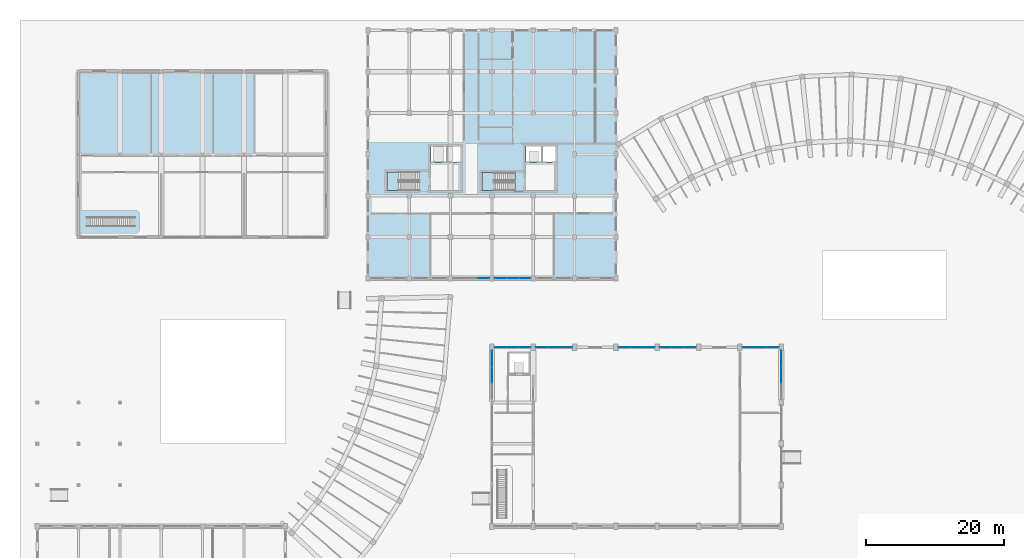
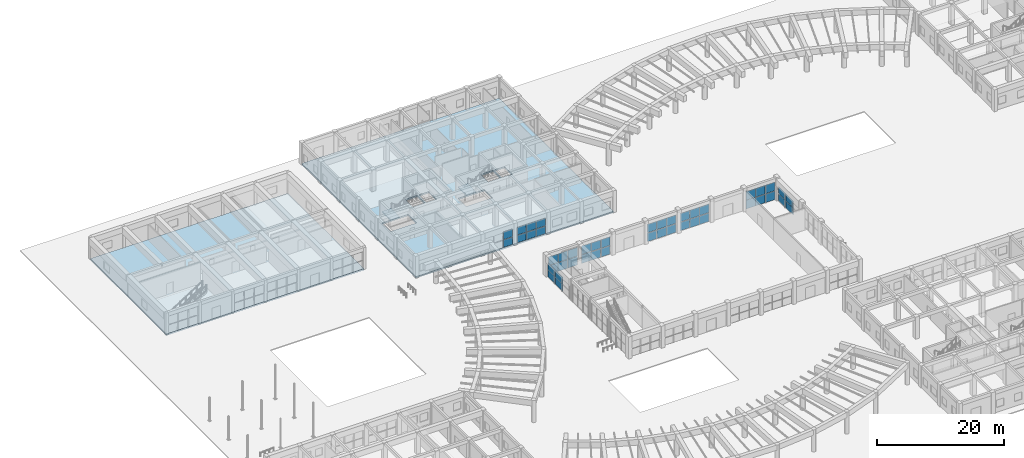
# One storey, part 42 of 76: 46 plates, 4 slabs, 11 elements without a shape of their own.
"""IFC4 building model written with IfcOpenShell, lengths in metres."""

from ifc_helpers import new_model, si_unit, direction, frame, origin, origin_2d, place, context, subcontext, project, spatial, polyline, rectangle, outline, extrude, material, layer, layer_set, type_object, element, aggregate, save


model = new_model("IFC4")

# Units and contexts
model_context = context("Model", 3, precision=1e-05, world=origin(), true_north=direction((0.0, 1.0)))
body_context = subcontext(model_context, "Body", "Model", "MODEL_VIEW")
ifc_project = project(units=[si_unit("LENGTHUNIT", "METRE"), si_unit("AREAUNIT", "SQUARE_METRE"), si_unit("VOLUMEUNIT", "CUBIC_METRE"), si_unit("PLANEANGLEUNIT", "RADIAN"), si_unit("MASSUNIT", "GRAM", prefix="KILO"), si_unit("POWERUNIT", "WATT"), si_unit("THERMODYNAMICTEMPERATUREUNIT", "KELVIN")], contexts=[model_context])

# Site, building, storey
site_placement = place(None, origin())
site = spatial("IfcSite", under=ifc_project, at=site_placement, CompositionType="ELEMENT")
building_placement = place(site_placement, origin())
building = spatial("IfcBuilding", under=site, at=building_placement, Name="Ruvembo Vaulted Housing Court", CompositionType="ELEMENT")
storey_placement = place(building_placement, origin())
storey = spatial("IfcBuildingStorey", under=building, at=storey_placement, Name="L00", CompositionType="ELEMENT", Elevation=0.0)

# Curtain wall, plates
ifc_material_1 = material(Name="Anodised Aluminium and Solar-Control Glass", Category="aluminium")
ifc_layer_1 = layer(ifc_material_1, 0.159912109375, Name="Anodised Aluminium and Solar-Control Glass")
ifc_layer_set_1 = layer_set([ifc_layer_1], Name="Anodised Aluminium and Solar-Control Glass")
curtain_wall_type_1 = type_object("IfcCurtainWallType", Name="CW-LOBBY", PredefinedType="NOTDEFINED", material=ifc_layer_set_1)
curtain_wall_1_placement = place(storey_placement, origin())
curtain_wall_1 = element("IfcCurtainWall", 1, at=curtain_wall_1_placement, inside=storey, type_object=curtain_wall_type_1, Name="L00 Curtain Wall CW-L00-0003", PredefinedType="NOTDEFINED")
ifc_material_2 = material(Name="Solar-Control Laminated Insulating Glass", Category="glass")
ifc_layer_2 = layer(ifc_material_2, 0.035888671875, Name="Solar-Control Laminated Insulating Glass")
ifc_layer_set_2 = layer_set([ifc_layer_2], Name="Solar-Control Laminated Insulating Glass")
plate_type_1 = type_object("IfcPlateType", Name="CW-PANEL-ACOUST", PredefinedType="CURTAIN_PANEL", material=ifc_layer_set_2)
plate_1_placement = place(storey_placement, frame((64.7529296875, 78.0, 0.06005859375), z_axis=(0.0, 0.0, 1.0), x_axis=(1.0, 0.0, 0.0)))
plate_1 = element("IfcPlate", 2, at=plate_1_placement, type_object=plate_type_1, Name="CW5 panel 3.1", PredefinedType="CURTAIN_PANEL", context=body_context, shape_type="SweptSolid", body=[
    extrude(rectangle(XDim=1.68408203125, YDim=0.035888671875, at=origin_2d()), origin(), (0.0, 0.0, 1.0), 1.466064453125),
])
plate_2_placement = place(storey_placement, frame((64.7529296875, 78.0, 1.5859375), z_axis=(0.0, 0.0, 1.0), x_axis=(1.0, 0.0, 0.0)))
plate_2 = element("IfcPlate", 3, at=plate_2_placement, type_object=plate_type_1, Name="CW5 panel 3.2", PredefinedType="CURTAIN_PANEL", context=body_context, shape_type="SweptSolid", body=[
    extrude(rectangle(XDim=1.68408203125, YDim=0.035888671875, at=origin_2d()), origin(), (0.0, 0.0, 1.0), 1.466064453125),
])
aggregate(curtain_wall_1, [plate_1, plate_2])

ifc_layer_3 = layer(ifc_material_1, 0.159912109375, Name="Anodised Aluminium and Solar-Control Glass")
ifc_layer_set_3 = layer_set([ifc_layer_3], Name="Anodised Aluminium and Solar-Control Glass")
curtain_wall_type_2 = type_object("IfcCurtainWallType", Name="CW-HALL-SIDE", PredefinedType="NOTDEFINED", material=ifc_layer_set_3)
curtain_wall_2_placement = place(storey_placement, origin())
curtain_wall_2 = element("IfcCurtainWall", 4, at=curtain_wall_2_placement, inside=storey, type_object=curtain_wall_type_2, Name="L00 Curtain Wall CW-L00-0105", PredefinedType="NOTDEFINED")
plate_3_placement = place(storey_placement, frame((91.231689453125, 68.0, 0.06005859375), z_axis=(0.0, 0.0, 1.0), x_axis=(1.0, 0.0, 0.0)))
plate_3 = element("IfcPlate", 5, at=plate_3_placement, type_object=plate_type_1, Name="CW1 panel 1.1", PredefinedType="CURTAIN_PANEL", context=body_context, shape_type="SweptSolid", body=[
    extrude(rectangle(XDim=1.693359375, YDim=0.035888671875, at=origin_2d()), origin(), (0.0, 0.0, 1.0), 1.666015625),
])
plate_4_placement = place(storey_placement, frame((91.231689453125, 68.0, 1.785888671875), z_axis=(0.0, 0.0, 1.0), x_axis=(1.0, 0.0, 0.0)))
plate_4 = element("IfcPlate", 6, at=plate_4_placement, type_object=plate_type_1, Name="CW1 panel 1.2", PredefinedType="CURTAIN_PANEL", context=body_context, shape_type="SweptSolid", body=[
    extrude(rectangle(XDim=1.693359375, YDim=0.035888671875, at=origin_2d()), origin(), (0.0, 0.0, 1.0), 1.666015625),
])
plate_5_placement = place(storey_placement, frame((93.0, 68.0, 0.06005859375), z_axis=(0.0, 0.0, 1.0), x_axis=(1.0, 0.0, 0.0)))
plate_5 = element("IfcPlate", 7, at=plate_5_placement, type_object=plate_type_1, Name="CW1 panel 2.1", PredefinedType="CURTAIN_PANEL", context=body_context, shape_type="SweptSolid", body=[
    extrude(rectangle(XDim=1.723388671875, YDim=0.035888671875, at=origin_2d()), origin(), (0.0, 0.0, 1.0), 1.666015625),
])
plate_6_placement = place(storey_placement, frame((93.0, 68.0, 1.785888671875), z_axis=(0.0, 0.0, 1.0), x_axis=(1.0, 0.0, 0.0)))
plate_6 = element("IfcPlate", 8, at=plate_6_placement, type_object=plate_type_1, Name="CW1 panel 2.2", PredefinedType="CURTAIN_PANEL", context=body_context, shape_type="SweptSolid", body=[
    extrude(rectangle(XDim=1.723388671875, YDim=0.035888671875, at=origin_2d()), origin(), (0.0, 0.0, 1.0), 1.666015625),
])
plate_7_placement = place(storey_placement, frame((94.768310546875, 68.0, 0.06005859375), z_axis=(0.0, 0.0, 1.0), x_axis=(1.0, 0.0, 0.0)))
plate_7 = element("IfcPlate", 9, at=plate_7_placement, type_object=plate_type_1, Name="CW1 panel 3.1", PredefinedType="CURTAIN_PANEL", context=body_context, shape_type="SweptSolid", body=[
    extrude(rectangle(XDim=1.693359375, YDim=0.035888671875, at=origin_2d()), origin(), (0.0, 0.0, 1.0), 1.666015625),
])
plate_8_placement = place(storey_placement, frame((94.768310546875, 68.0, 1.785888671875), z_axis=(0.0, 0.0, 1.0), x_axis=(1.0, 0.0, 0.0)))
plate_8 = element("IfcPlate", 10, at=plate_8_placement, type_object=plate_type_1, Name="CW1 panel 3.2", PredefinedType="CURTAIN_PANEL", context=body_context, shape_type="SweptSolid", body=[
    extrude(rectangle(XDim=1.693359375, YDim=0.035888671875, at=origin_2d()), origin(), (0.0, 0.0, 1.0), 1.666015625),
])
aggregate(curtain_wall_2, [plate_3, plate_4, plate_5, plate_6, plate_7, plate_8])

curtain_wall_3_placement = place(storey_placement, origin())
curtain_wall_3 = element("IfcCurtainWall", 11, at=curtain_wall_3_placement, inside=storey, type_object=curtain_wall_type_2, Name="L00 Curtain Wall CW-L00-0111", PredefinedType="NOTDEFINED")
plate_9_placement = place(storey_placement, frame((103.23046875, 68.0, 0.06005859375), z_axis=(0.0, 0.0, 1.0), x_axis=(1.0, 0.0, 0.0)))
plate_9 = element("IfcPlate", 12, at=plate_9_placement, type_object=plate_type_1, Name="CW1 panel 1.1", PredefinedType="CURTAIN_PANEL", context=body_context, shape_type="SweptSolid", body=[
    extrude(rectangle(XDim=1.700927734375, YDim=0.035888671875, at=origin_2d()), origin(), (0.0, 0.0, 1.0), 1.666015625),
])
plate_10_placement = place(storey_placement, frame((103.23046875, 68.0, 1.785888671875), z_axis=(0.0, 0.0, 1.0), x_axis=(1.0, 0.0, 0.0)))
plate_10 = element("IfcPlate", 13, at=plate_10_placement, type_object=plate_type_1, Name="CW1 panel 1.2", PredefinedType="CURTAIN_PANEL", context=body_context, shape_type="SweptSolid", body=[
    extrude(rectangle(XDim=1.700927734375, YDim=0.035888671875, at=origin_2d()), origin(), (0.0, 0.0, 1.0), 1.666015625),
])
plate_11_placement = place(storey_placement, frame((105.0, 68.0, 0.06005859375), z_axis=(0.0, 0.0, 1.0), x_axis=(1.0, 0.0, 0.0)))
plate_11 = element("IfcPlate", 14, at=plate_11_placement, type_object=plate_type_1, Name="CW1 panel 2.1", PredefinedType="CURTAIN_PANEL", context=body_context, shape_type="SweptSolid", body=[
    extrude(rectangle(XDim=1.728271484375, YDim=0.035888671875, at=origin_2d()), origin(), (0.0, 0.0, 1.0), 1.666015625),
])
plate_12_placement = place(storey_placement, frame((105.0, 68.0, 1.785888671875), z_axis=(0.0, 0.0, 1.0), x_axis=(1.0, 0.0, 0.0)))
plate_12 = element("IfcPlate", 15, at=plate_12_placement, type_object=plate_type_1, Name="CW1 panel 2.2", PredefinedType="CURTAIN_PANEL", context=body_context, shape_type="SweptSolid", body=[
    extrude(rectangle(XDim=1.728271484375, YDim=0.035888671875, at=origin_2d()), origin(), (0.0, 0.0, 1.0), 1.666015625),
])
plate_13_placement = place(storey_placement, frame((106.76953125, 68.0, 0.06005859375), z_axis=(0.0, 0.0, 1.0), x_axis=(1.0, 0.0, 0.0)))
plate_13 = element("IfcPlate", 16, at=plate_13_placement, type_object=plate_type_1, Name="CW1 panel 3.1", PredefinedType="CURTAIN_PANEL", context=body_context, shape_type="SweptSolid", body=[
    extrude(rectangle(XDim=1.700927734375, YDim=0.035888671875, at=origin_2d()), origin(), (0.0, 0.0, 1.0), 1.666015625),
])
plate_14_placement = place(storey_placement, frame((106.76953125, 68.0, 1.785888671875), z_axis=(0.0, 0.0, 1.0), x_axis=(1.0, 0.0, 0.0)))
plate_14 = element("IfcPlate", 17, at=plate_14_placement, type_object=plate_type_1, Name="CW1 panel 3.2", PredefinedType="CURTAIN_PANEL", context=body_context, shape_type="SweptSolid", body=[
    extrude(rectangle(XDim=1.700927734375, YDim=0.035888671875, at=origin_2d()), origin(), (0.0, 0.0, 1.0), 1.666015625),
])
aggregate(curtain_wall_3, [plate_9, plate_10, plate_11, plate_12, plate_13, plate_14])

curtain_wall_4_placement = place(storey_placement, origin())
curtain_wall_4 = element("IfcCurtainWall", 18, at=curtain_wall_4_placement, inside=storey, type_object=curtain_wall_type_2, Name="L00 Curtain Wall CW-L00-0095", PredefinedType="NOTDEFINED")
ifc_layer_4 = layer(ifc_material_2, 0.028076171875, Name="Solar-Control Laminated Insulating Glass")
ifc_layer_set_4 = layer_set([ifc_layer_4], Name="Solar-Control Laminated Insulating Glass")
plate_type_2 = type_object("IfcPlateType", Name="CW-PANEL-GLAZED", PredefinedType="CURTAIN_PANEL", material=ifc_layer_set_4)
plate_15_placement = place(storey_placement, frame((73.23046875, 68.0, 0.06005859375), z_axis=(0.0, 0.0, 1.0), x_axis=(1.0, 0.0, 0.0)))
plate_15 = element("IfcPlate", 19, at=plate_15_placement, type_object=plate_type_2, Name="CW1 panel 1.1", PredefinedType="CURTAIN_PANEL", context=body_context, shape_type="SweptSolid", body=[
    extrude(rectangle(XDim=1.700927734375, YDim=0.028076171875, at=origin_2d()), origin(), (0.0, 0.0, 1.0), 1.666015625),
])
plate_16_placement = place(storey_placement, frame((73.23046875, 68.0, 1.785888671875), z_axis=(0.0, 0.0, 1.0), x_axis=(1.0, 0.0, 0.0)))
plate_16 = element("IfcPlate", 20, at=plate_16_placement, type_object=plate_type_2, Name="CW1 panel 1.2", PredefinedType="CURTAIN_PANEL", context=body_context, shape_type="SweptSolid", body=[
    extrude(rectangle(XDim=1.700927734375, YDim=0.028076171875, at=origin_2d()), origin(), (0.0, 0.0, 1.0), 1.666015625),
])
plate_17_placement = place(storey_placement, frame((75.0, 68.0, 0.06005859375), z_axis=(0.0, 0.0, 1.0), x_axis=(1.0, 0.0, 0.0)))
plate_17 = element("IfcPlate", 21, at=plate_17_placement, type_object=plate_type_2, Name="CW1 panel 2.1", PredefinedType="CURTAIN_PANEL", context=body_context, shape_type="SweptSolid", body=[
    extrude(rectangle(XDim=1.728271484375, YDim=0.028076171875, at=origin_2d()), origin(), (0.0, 0.0, 1.0), 1.666015625),
])
plate_18_placement = place(storey_placement, frame((75.0, 68.0, 1.785888671875), z_axis=(0.0, 0.0, 1.0), x_axis=(1.0, 0.0, 0.0)))
plate_18 = element("IfcPlate", 22, at=plate_18_placement, type_object=plate_type_2, Name="CW1 panel 2.2", PredefinedType="CURTAIN_PANEL", context=body_context, shape_type="SweptSolid", body=[
    extrude(rectangle(XDim=1.728271484375, YDim=0.028076171875, at=origin_2d()), origin(), (0.0, 0.0, 1.0), 1.666015625),
])
plate_19_placement = place(storey_placement, frame((76.76953125, 68.0, 0.06005859375), z_axis=(0.0, 0.0, 1.0), x_axis=(1.0, 0.0, 0.0)))
plate_19 = element("IfcPlate", 23, at=plate_19_placement, type_object=plate_type_2, Name="CW1 panel 3.1", PredefinedType="CURTAIN_PANEL", context=body_context, shape_type="SweptSolid", body=[
    extrude(rectangle(XDim=1.700927734375, YDim=0.028076171875, at=origin_2d()), origin(), (0.0, 0.0, 1.0), 1.666015625),
])
plate_20_placement = place(storey_placement, frame((76.76953125, 68.0, 1.785888671875), z_axis=(0.0, 0.0, 1.0), x_axis=(1.0, 0.0, 0.0)))
plate_20 = element("IfcPlate", 24, at=plate_20_placement, type_object=plate_type_2, Name="CW1 panel 3.2", PredefinedType="CURTAIN_PANEL", context=body_context, shape_type="SweptSolid", body=[
    extrude(rectangle(XDim=1.700927734375, YDim=0.028076171875, at=origin_2d()), origin(), (0.0, 0.0, 1.0), 1.666015625),
])
aggregate(curtain_wall_4, [plate_15, plate_16, plate_17, plate_18, plate_19, plate_20])

curtain_wall_5_placement = place(storey_placement, origin())
curtain_wall_5 = element("IfcCurtainWall", 25, at=curtain_wall_5_placement, inside=storey, type_object=curtain_wall_type_2, Name="L00 Curtain Wall CW-L00-0101", PredefinedType="NOTDEFINED")
plate_21_placement = place(storey_placement, frame((85.231689453125, 68.0, 0.06005859375), z_axis=(0.0, 0.0, 1.0), x_axis=(1.0, 0.0, 0.0)))
plate_21 = element("IfcPlate", 26, at=plate_21_placement, type_object=plate_type_2, Name="CW1 panel 1.1", PredefinedType="CURTAIN_PANEL", context=body_context, shape_type="SweptSolid", body=[
    extrude(rectangle(XDim=1.693359375, YDim=0.028076171875, at=origin_2d()), origin(), (0.0, 0.0, 1.0), 1.666015625),
])
plate_22_placement = place(storey_placement, frame((85.231689453125, 68.0, 1.785888671875), z_axis=(0.0, 0.0, 1.0), x_axis=(1.0, 0.0, 0.0)))
plate_22 = element("IfcPlate", 27, at=plate_22_placement, type_object=plate_type_2, Name="CW1 panel 1.2", PredefinedType="CURTAIN_PANEL", context=body_context, shape_type="SweptSolid", body=[
    extrude(rectangle(XDim=1.693359375, YDim=0.028076171875, at=origin_2d()), origin(), (0.0, 0.0, 1.0), 1.666015625),
])
plate_23_placement = place(storey_placement, frame((87.0, 68.0, 0.06005859375), z_axis=(0.0, 0.0, 1.0), x_axis=(1.0, 0.0, 0.0)))
plate_23 = element("IfcPlate", 28, at=plate_23_placement, type_object=plate_type_2, Name="CW1 panel 2.1", PredefinedType="CURTAIN_PANEL", context=body_context, shape_type="SweptSolid", body=[
    extrude(rectangle(XDim=1.723388671875, YDim=0.028076171875, at=origin_2d()), origin(), (0.0, 0.0, 1.0), 1.666015625),
])
plate_24_placement = place(storey_placement, frame((87.0, 68.0, 1.785888671875), z_axis=(0.0, 0.0, 1.0), x_axis=(1.0, 0.0, 0.0)))
plate_24 = element("IfcPlate", 29, at=plate_24_placement, type_object=plate_type_2, Name="CW1 panel 2.2", PredefinedType="CURTAIN_PANEL", context=body_context, shape_type="SweptSolid", body=[
    extrude(rectangle(XDim=1.723388671875, YDim=0.028076171875, at=origin_2d()), origin(), (0.0, 0.0, 1.0), 1.666015625),
])
plate_25_placement = place(storey_placement, frame((88.768310546875, 68.0, 0.06005859375), z_axis=(0.0, 0.0, 1.0), x_axis=(1.0, 0.0, 0.0)))
plate_25 = element("IfcPlate", 30, at=plate_25_placement, type_object=plate_type_2, Name="CW1 panel 3.1", PredefinedType="CURTAIN_PANEL", context=body_context, shape_type="SweptSolid", body=[
    extrude(rectangle(XDim=1.693359375, YDim=0.028076171875, at=origin_2d()), origin(), (0.0, 0.0, 1.0), 1.666015625),
])
plate_26_placement = place(storey_placement, frame((88.768310546875, 68.0, 1.785888671875), z_axis=(0.0, 0.0, 1.0), x_axis=(1.0, 0.0, 0.0)))
plate_26 = element("IfcPlate", 31, at=plate_26_placement, type_object=plate_type_2, Name="CW1 panel 3.2", PredefinedType="CURTAIN_PANEL", context=body_context, shape_type="SweptSolid", body=[
    extrude(rectangle(XDim=1.693359375, YDim=0.028076171875, at=origin_2d()), origin(), (0.0, 0.0, 1.0), 1.666015625),
])
aggregate(curtain_wall_5, [plate_21, plate_22, plate_23, plate_24, plate_25, plate_26])

ifc_layer_5 = layer(ifc_material_1, 0.179931640625, Name="Anodised Aluminium and Solar-Control Glass")
ifc_layer_set_5 = layer_set([ifc_layer_5], Name="Anodised Aluminium and Solar-Control Glass")
curtain_wall_type_3 = type_object("IfcCurtainWallType", Name="CW-HALL-TYMP", PredefinedType="NOTDEFINED", material=ifc_layer_set_5)
curtain_wall_6_placement = place(storey_placement, origin())
curtain_wall_6 = element("IfcCurtainWall", 32, at=curtain_wall_6_placement, inside=storey, type_object=curtain_wall_type_3, Name="L00 Curtain Wall CW-L00-0119", PredefinedType="NOTDEFINED")
plate_27_placement = place(storey_placement, frame((66.0, 64.0, 0.06005859375), z_axis=(0.0, 0.0, 1.0), x_axis=(0.0, 1.0, 0.0)))
plate_27 = element("IfcPlate", 33, at=plate_27_placement, type_object=plate_type_2, Name="CW2 panel 2.1", PredefinedType="CURTAIN_PANEL", context=body_context, shape_type="SweptSolid", body=[
    extrude(rectangle(XDim=2.311767578125, YDim=0.028076171875, at=origin_2d()), origin(), (0.0, 0.0, 1.0), 1.341064453125),
])
plate_28_placement = place(storey_placement, frame((66.0, 64.0, 1.4609375), z_axis=(0.0, 0.0, 1.0), x_axis=(0.0, 1.0, 0.0)))
plate_28 = element("IfcPlate", 34, at=plate_28_placement, type_object=plate_type_2, Name="CW2 panel 2.2", PredefinedType="CURTAIN_PANEL", context=body_context, shape_type="SweptSolid", body=[
    extrude(rectangle(XDim=2.311767578125, YDim=0.028076171875, at=origin_2d()), origin(), (0.0, 0.0, 1.0), 1.341064453125),
])
plate_29_placement = place(storey_placement, frame((66.0, 66.35302734375, 0.06005859375), z_axis=(0.0, 0.0, 1.0), x_axis=(0.0, 1.0, 0.0)))
plate_29 = element("IfcPlate", 35, at=plate_29_placement, type_object=plate_type_2, Name="CW2 panel 3.1", PredefinedType="CURTAIN_PANEL", context=body_context, shape_type="SweptSolid", body=[
    extrude(rectangle(XDim=2.2841796875, YDim=0.028076171875, at=origin_2d()), origin(), (0.0, 0.0, 1.0), 1.341064453125),
])
plate_30_placement = place(storey_placement, frame((66.0, 66.35302734375, 1.4609375), z_axis=(0.0, 0.0, 1.0), x_axis=(0.0, 1.0, 0.0)))
plate_30 = element("IfcPlate", 36, at=plate_30_placement, type_object=plate_type_2, Name="CW2 panel 3.2", PredefinedType="CURTAIN_PANEL", context=body_context, shape_type="SweptSolid", body=[
    extrude(rectangle(XDim=2.2841796875, YDim=0.028076171875, at=origin_2d()), origin(), (0.0, 0.0, 1.0), 1.341064453125),
])
aggregate(curtain_wall_6, [plate_27, plate_28, plate_29, plate_30])

curtain_wall_7_placement = place(storey_placement, origin())
curtain_wall_7 = element("IfcCurtainWall", 37, at=curtain_wall_7_placement, inside=storey, type_object=curtain_wall_type_1, Name="L00 Curtain Wall CW-L00-0004", PredefinedType="NOTDEFINED")
ifc_layer_6 = layer(ifc_material_2, 0.031982421875, Name="Solar-Control Laminated Insulating Glass")
ifc_layer_set_6 = layer_set([ifc_layer_6], Name="Solar-Control Laminated Insulating Glass")
plate_type_3 = type_object("IfcPlateType", Name="CW-PANEL-SOLAR", PredefinedType="CURTAIN_PANEL", material=ifc_layer_set_6)
plate_31_placement = place(storey_placement, frame((67.248291015625, 78.0, 0.06494140625), z_axis=(0.0, 0.0, 1.0), x_axis=(1.0, 0.0, 0.0)))
plate_31 = element("IfcPlate", 38, at=plate_31_placement, type_object=plate_type_3, Name="CW5 panel 1.1", PredefinedType="CURTAIN_PANEL", context=body_context, shape_type="SweptSolid", body=[
    extrude(rectangle(XDim=1.6767578125, YDim=0.031982421875, at=origin_2d()), origin(), (0.0, 0.0, 1.0), 1.45849609375),
])
plate_32_placement = place(storey_placement, frame((67.248291015625, 78.0, 1.588623046875), z_axis=(0.0, 0.0, 1.0), x_axis=(1.0, 0.0, 0.0)))
plate_32 = element("IfcPlate", 39, at=plate_32_placement, type_object=plate_type_3, Name="CW5 panel 1.2", PredefinedType="CURTAIN_PANEL", context=body_context, shape_type="SweptSolid", body=[
    extrude(rectangle(XDim=1.6767578125, YDim=0.031982421875, at=origin_2d()), origin(), (0.0, 0.0, 1.0), 1.45849609375),
])
plate_33_placement = place(storey_placement, frame((69.0, 78.0, 0.06494140625), z_axis=(0.0, 0.0, 1.0), x_axis=(1.0, 0.0, 0.0)))
plate_33 = element("IfcPlate", 40, at=plate_33_placement, type_object=plate_type_3, Name="CW5 panel 2.1", PredefinedType="CURTAIN_PANEL", context=body_context, shape_type="SweptSolid", body=[
    extrude(rectangle(XDim=1.706787109375, YDim=0.031982421875, at=origin_2d()), origin(), (0.0, 0.0, 1.0), 1.45849609375),
])
plate_34_placement = place(storey_placement, frame((69.0, 78.0, 1.588623046875), z_axis=(0.0, 0.0, 1.0), x_axis=(1.0, 0.0, 0.0)))
plate_34 = element("IfcPlate", 41, at=plate_34_placement, type_object=plate_type_3, Name="CW5 panel 2.2", PredefinedType="CURTAIN_PANEL", context=body_context, shape_type="SweptSolid", body=[
    extrude(rectangle(XDim=1.706787109375, YDim=0.031982421875, at=origin_2d()), origin(), (0.0, 0.0, 1.0), 1.45849609375),
])
plate_35_placement = place(storey_placement, frame((70.751708984375, 78.0, 0.06494140625), z_axis=(0.0, 0.0, 1.0), x_axis=(1.0, 0.0, 0.0)))
plate_35 = element("IfcPlate", 42, at=plate_35_placement, type_object=plate_type_3, Name="CW5 panel 3.1", PredefinedType="CURTAIN_PANEL", context=body_context, shape_type="SweptSolid", body=[
    extrude(rectangle(XDim=1.6767578125, YDim=0.031982421875, at=origin_2d()), origin(), (0.0, 0.0, 1.0), 1.45849609375),
])
plate_36_placement = place(storey_placement, frame((70.751708984375, 78.0, 1.588623046875), z_axis=(0.0, 0.0, 1.0), x_axis=(1.0, 0.0, 0.0)))
plate_36 = element("IfcPlate", 43, at=plate_36_placement, type_object=plate_type_3, Name="CW5 panel 3.2", PredefinedType="CURTAIN_PANEL", context=body_context, shape_type="SweptSolid", body=[
    extrude(rectangle(XDim=1.6767578125, YDim=0.031982421875, at=origin_2d()), origin(), (0.0, 0.0, 1.0), 1.45849609375),
])
aggregate(curtain_wall_7, [plate_31, plate_32, plate_33, plate_34, plate_35, plate_36])

curtain_wall_8_placement = place(storey_placement, origin())
curtain_wall_8 = element("IfcCurtainWall", 44, at=curtain_wall_8_placement, inside=storey, type_object=curtain_wall_type_2, Name="L00 Curtain Wall CW-L00-0091", PredefinedType="NOTDEFINED")
plate_37_placement = place(storey_placement, frame((67.23046875, 68.0, 0.06494140625), z_axis=(0.0, 0.0, 1.0), x_axis=(1.0, 0.0, 0.0)))
plate_37 = element("IfcPlate", 45, at=plate_37_placement, type_object=plate_type_3, Name="CW1 panel 1.1", PredefinedType="CURTAIN_PANEL", context=body_context, shape_type="SweptSolid", body=[
    extrude(rectangle(XDim=1.700927734375, YDim=0.031982421875, at=origin_2d()), origin(), (0.0, 0.0, 1.0), 1.658447265625),
])
plate_38_placement = place(storey_placement, frame((67.23046875, 68.0, 1.78857421875), z_axis=(0.0, 0.0, 1.0), x_axis=(1.0, 0.0, 0.0)))
plate_38 = element("IfcPlate", 46, at=plate_38_placement, type_object=plate_type_3, Name="CW1 panel 1.2", PredefinedType="CURTAIN_PANEL", context=body_context, shape_type="SweptSolid", body=[
    extrude(rectangle(XDim=1.700927734375, YDim=0.031982421875, at=origin_2d()), origin(), (0.0, 0.0, 1.0), 1.658447265625),
])
plate_39_placement = place(storey_placement, frame((69.0, 68.0, 0.06494140625), z_axis=(0.0, 0.0, 1.0), x_axis=(1.0, 0.0, 0.0)))
plate_39 = element("IfcPlate", 47, at=plate_39_placement, type_object=plate_type_3, Name="CW1 panel 2.1", PredefinedType="CURTAIN_PANEL", context=body_context, shape_type="SweptSolid", body=[
    extrude(rectangle(XDim=1.728271484375, YDim=0.031982421875, at=origin_2d()), origin(), (0.0, 0.0, 1.0), 1.658447265625),
])
plate_40_placement = place(storey_placement, frame((69.0, 68.0, 1.78857421875), z_axis=(0.0, 0.0, 1.0), x_axis=(1.0, 0.0, 0.0)))
plate_40 = element("IfcPlate", 48, at=plate_40_placement, type_object=plate_type_3, Name="CW1 panel 2.2", PredefinedType="CURTAIN_PANEL", context=body_context, shape_type="SweptSolid", body=[
    extrude(rectangle(XDim=1.728271484375, YDim=0.031982421875, at=origin_2d()), origin(), (0.0, 0.0, 1.0), 1.658447265625),
])
plate_41_placement = place(storey_placement, frame((70.76953125, 68.0, 0.06494140625), z_axis=(0.0, 0.0, 1.0), x_axis=(1.0, 0.0, 0.0)))
plate_41 = element("IfcPlate", 49, at=plate_41_placement, type_object=plate_type_3, Name="CW1 panel 3.1", PredefinedType="CURTAIN_PANEL", context=body_context, shape_type="SweptSolid", body=[
    extrude(rectangle(XDim=1.700927734375, YDim=0.031982421875, at=origin_2d()), origin(), (0.0, 0.0, 1.0), 1.658447265625),
])
plate_42_placement = place(storey_placement, frame((70.76953125, 68.0, 1.78857421875), z_axis=(0.0, 0.0, 1.0), x_axis=(1.0, 0.0, 0.0)))
plate_42 = element("IfcPlate", 50, at=plate_42_placement, type_object=plate_type_3, Name="CW1 panel 3.2", PredefinedType="CURTAIN_PANEL", context=body_context, shape_type="SweptSolid", body=[
    extrude(rectangle(XDim=1.700927734375, YDim=0.031982421875, at=origin_2d()), origin(), (0.0, 0.0, 1.0), 1.658447265625),
])
aggregate(curtain_wall_8, [plate_37, plate_38, plate_39, plate_40, plate_41, plate_42])

curtain_wall_9_placement = place(storey_placement, origin())
curtain_wall_9 = element("IfcCurtainWall", 51, at=curtain_wall_9_placement, inside=storey, type_object=curtain_wall_type_3, Name="L00 Curtain Wall CW-L00-0127", PredefinedType="NOTDEFINED")
plate_43_placement = place(storey_placement, frame((108.0, 64.0, 0.06494140625), z_axis=(0.0, 0.0, 1.0), x_axis=(0.0, 1.0, 0.0)))
plate_43 = element("IfcPlate", 52, at=plate_43_placement, type_object=plate_type_3, Name="CW2 panel 2.1", PredefinedType="CURTAIN_PANEL", context=body_context, shape_type="SweptSolid", body=[
    extrude(rectangle(XDim=2.311767578125, YDim=0.031982421875, at=origin_2d()), origin(), (0.0, 0.0, 1.0), 1.33349609375),
])
plate_44_placement = place(storey_placement, frame((108.0, 64.0, 1.463623046875), z_axis=(0.0, 0.0, 1.0), x_axis=(0.0, 1.0, 0.0)))
plate_44 = element("IfcPlate", 53, at=plate_44_placement, type_object=plate_type_3, Name="CW2 panel 2.2", PredefinedType="CURTAIN_PANEL", context=body_context, shape_type="SweptSolid", body=[
    extrude(rectangle(XDim=2.311767578125, YDim=0.031982421875, at=origin_2d()), origin(), (0.0, 0.0, 1.0), 1.33349609375),
])
plate_45_placement = place(storey_placement, frame((108.0, 66.35302734375, 0.06494140625), z_axis=(0.0, 0.0, 1.0), x_axis=(0.0, 1.0, 0.0)))
plate_45 = element("IfcPlate", 54, at=plate_45_placement, type_object=plate_type_3, Name="CW2 panel 3.1", PredefinedType="CURTAIN_PANEL", context=body_context, shape_type="SweptSolid", body=[
    extrude(rectangle(XDim=2.2841796875, YDim=0.031982421875, at=origin_2d()), origin(), (0.0, 0.0, 1.0), 1.33349609375),
])
plate_46_placement = place(storey_placement, frame((108.0, 66.35302734375, 1.463623046875), z_axis=(0.0, 0.0, 1.0), x_axis=(0.0, 1.0, 0.0)))
plate_46 = element("IfcPlate", 55, at=plate_46_placement, type_object=plate_type_3, Name="CW2 panel 3.2", PredefinedType="CURTAIN_PANEL", context=body_context, shape_type="SweptSolid", body=[
    extrude(rectangle(XDim=2.2841796875, YDim=0.031982421875, at=origin_2d()), origin(), (0.0, 0.0, 1.0), 1.33349609375),
])
aggregate(curtain_wall_9, [plate_43, plate_44, plate_45, plate_46])

# Slabs
ifc_material_3 = material(Name="Concrete C30/37", Category="concrete")
ifc_layer_7 = layer(ifc_material_3, 0.284912109375, Name="Concrete C30/37")
ifc_layer_set_7 = layer_set([ifc_layer_7], Name="Concrete C30/37")
slab_type_1 = type_object("IfcSlabType", Name="SL-FLR-285", PredefinedType="FLOOR", material=ifc_layer_set_7)
slab_1_placement = place(storey_placement, frame((0.0, 0.0, -0.284912109375)))
element("IfcSlab", 56, at=slab_1_placement, inside=storey, type_object=slab_type_1, Name="Block B L00 Structural Floor Slab", PredefinedType="FLOOR", context=body_context, shape_type="SweptSolid", body=[
    extrude(outline(polyline([(84.0, 78.0), (84.0, 114.0), (48.0, 114.0), (48.0, 78.0), (84.0, 78.0)]), holes=[polyline([(55.5, 93.449951171875), (50.75, 93.449951171875), (50.75, 90.75), (55.5, 90.75), (55.5, 93.449951171875)]), polyline([(57.14990234375, 94.85009765625), (59.35009765625, 94.85009765625), (59.35009765625, 97.25), (57.14990234375, 97.25), (57.14990234375, 94.85009765625)]), polyline([(59.60009765625, 94.85009765625), (61.449951171875, 94.85009765625), (61.449951171875, 97.25), (59.60009765625, 97.25), (59.60009765625, 94.85009765625)]), polyline([(69.35009765625, 93.35009765625), (64.550048828125, 93.35009765625), (64.550048828125, 90.75), (69.35009765625, 90.75), (69.35009765625, 93.35009765625)]), polyline([(70.949951171875, 94.85009765625), (73.14990234375, 94.85009765625), (73.14990234375, 97.25), (70.949951171875, 97.25), (70.949951171875, 94.85009765625)]), polyline([(73.39990234375, 94.85009765625), (75.25, 94.85009765625), (75.25, 97.25), (73.39990234375, 97.25), (73.39990234375, 94.85009765625)])]), origin(), (0.0, 0.0, 1.0), 0.284912109375),
])
slab_2_placement = place(storey_placement, frame((0.0, 0.0, -0.284912109375)))
element("IfcSlab", 57, at=slab_2_placement, inside=storey, type_object=slab_type_1, Name="ECD Nursery L00 Ground Floor Slab", PredefinedType="FLOOR", context=body_context, shape_type="SweptSolid", body=[
    extrude(outline(polyline([(6.0, 84.0), (42.0, 84.0), (42.0, 108.0), (6.0, 108.0), (6.0, 84.0)])), origin(), (0.0, 0.0, 1.0), 0.284912109375),
])

# Stair, slab
ifc_material_4 = material(Name="Concrete C35/45", Category="concrete")
stair_type_1 = type_object("IfcStairType", Name="STR-CORE-1250", PredefinedType="HALF_TURN_STAIR", material=ifc_material_4)
stair_1_placement = place(storey_placement, origin())
stair_1 = element("IfcStair", 58, at=stair_1_placement, inside=storey, type_object=stair_type_1, Name="L00 Protected Exit Stair ST-B1", PredefinedType="HALF_TURN_STAIR")
ifc_layer_8 = layer(ifc_material_3, 0.201904296875, Name="Concrete C30/37")
ifc_layer_set_8 = layer_set([ifc_layer_8], Name="Concrete C30/37")
slab_type_2 = type_object("IfcSlabType", Name="SL-LAND-202", PredefinedType="LANDING", material=ifc_layer_set_8)
slab_3_placement = place(storey_placement, frame((0.0, 0.0, 2.050048828125)))
slab_3 = element("IfcSlab", 59, at=slab_3_placement, type_object=slab_type_2, Name="ST-B1 landing 1", PredefinedType="LANDING", context=body_context, shape_type="SweptSolid", body=[
    extrude(outline(polyline([(52.419921875, 93.449951171875), (50.75, 93.449951171875), (50.75, 90.75), (52.419921875, 90.75), (52.419921875, 93.449951171875)])), origin(), (0.0, 0.0, 1.0), 0.199951171875),
])
aggregate(stair_1, [slab_3])

stair_type_2 = type_object("IfcStairType", Name="STR-CORE-1200", PredefinedType="HALF_TURN_STAIR", material=ifc_material_4)
stair_2_placement = place(storey_placement, origin())
stair_2 = element("IfcStair", 60, at=stair_2_placement, inside=storey, type_object=stair_type_2, Name="L00 Protected Exit Stair ST-B2", PredefinedType="HALF_TURN_STAIR")
slab_4_placement = place(storey_placement, frame((0.0, 0.0, 2.050048828125)))
slab_4 = element("IfcSlab", 61, at=slab_4_placement, type_object=slab_type_2, Name="ST-B2 landing 1", PredefinedType="LANDING", context=body_context, shape_type="SweptSolid", body=[
    extrude(outline(polyline([(66.27001953125, 93.35009765625), (64.550048828125, 93.35009765625), (64.550048828125, 90.75), (66.27001953125, 90.75), (66.27001953125, 93.35009765625)])), origin(), (0.0, 0.0, 1.0), 0.199951171875),
])
aggregate(stair_2, [slab_4])

save(model, "model.ifc")
